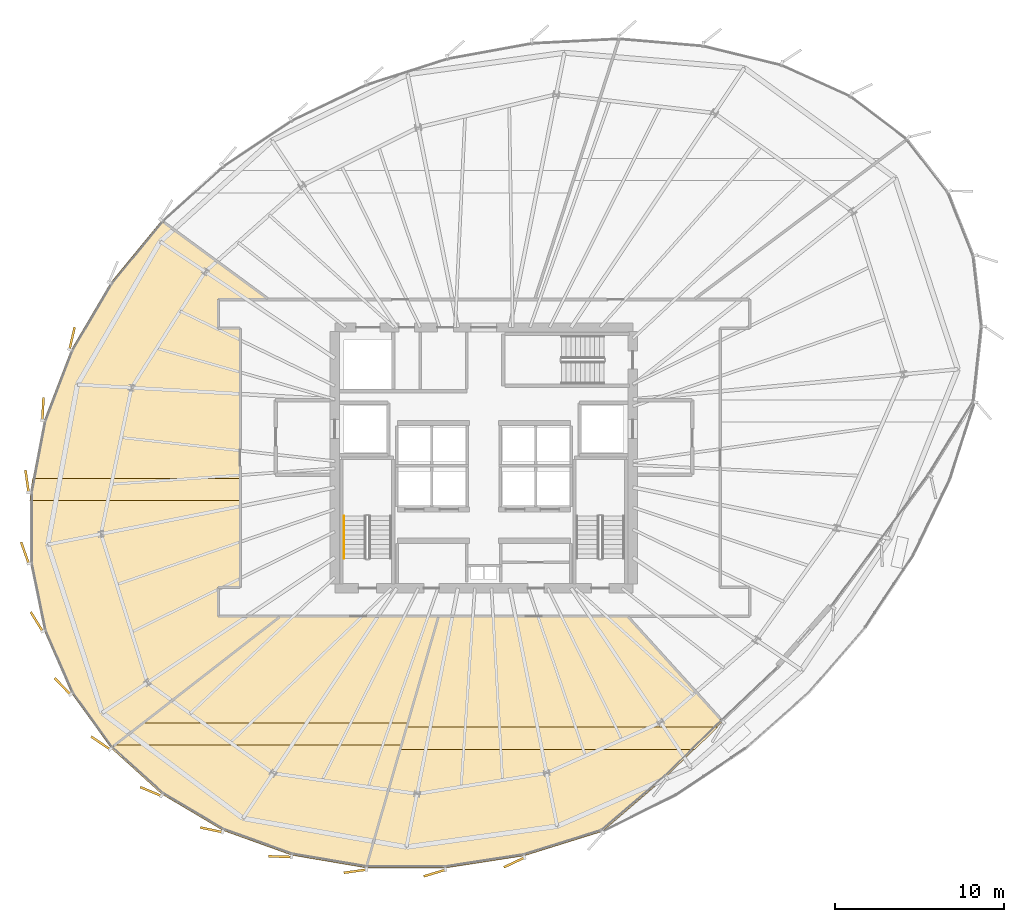
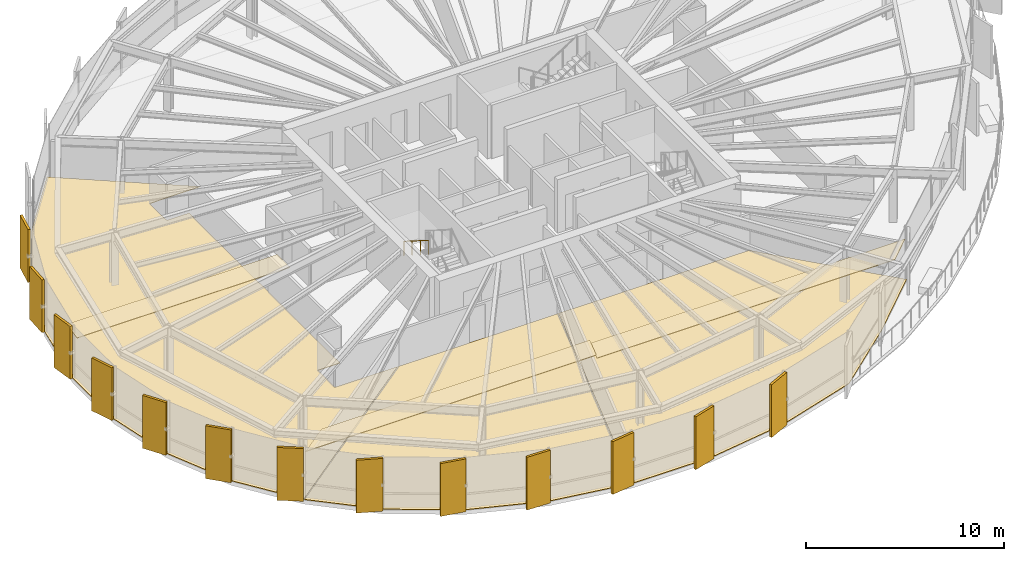
# One storey, part 31 of 34: 19 coverings, 1 railing.
"""IFC4 building model written with IfcOpenShell, lengths in metres."""

from ifc_helpers import new_model, si_unit, direction, frame, origin, origin_2d, place, context, subcontext, project, spatial, polyline, rectangle, circle, outline, extrude, source, transform, mapped, material, layer, layer_set, type_object, element, save


model = new_model("IFC4")

# Units and contexts
model_context = context("Model", 3, precision=1e-05, world=origin(), true_north=direction((0.0, 1.0)))
body_context = subcontext(model_context, "Body", "Model", "MODEL_VIEW")
ifc_project = project(units=[si_unit("LENGTHUNIT", "METRE"), si_unit("AREAUNIT", "SQUARE_METRE"), si_unit("VOLUMEUNIT", "CUBIC_METRE"), si_unit("PLANEANGLEUNIT", "RADIAN"), si_unit("MASSUNIT", "GRAM", prefix="KILO"), si_unit("THERMODYNAMICTEMPERATUREUNIT", "KELVIN")], contexts=[model_context])

# Site, building, storey
site_placement = place(None, origin())
site = spatial("IfcSite", under=ifc_project, at=site_placement, CompositionType="ELEMENT")
building_placement = place(site_placement, origin())
building = spatial("IfcBuilding", under=site, at=building_placement, Name="Kethvar Cultural Tower", CompositionType="ELEMENT")
storey_placement = place(building_placement, frame((0.0, 0.0, 153.64990234375)))
storey = spatial("IfcBuildingStorey", under=building, at=storey_placement, Name="L39", CompositionType="ELEMENT", Elevation=153.64990234375)

# Coverings
ifc_material_1 = material(Name="Acoustic Mineral Fibre Ceiling")
ifc_layer_1 = layer(ifc_material_1, 0.0400390625, Name="Acoustic Mineral Fibre Ceiling")
ifc_layer_set_1 = layer_set([ifc_layer_1], Name="Acoustic Mineral Fibre Ceiling (40 mm)")
covering_type_1 = type_object("IfcCoveringType", Name="CV-ACOUSTIC-CEIL", PredefinedType="CEILING", material=ifc_layer_set_1)
covering_1_placement = place(storey_placement, frame((0.0, 0.0, 2.780029296875)))
element("IfcCovering", 1, at=covering_1_placement, inside=storey, type_object=covering_type_1, Name="L39 Room 01 Acoustic Ceiling Panel", PredefinedType="CEILING", context=body_context, shape_type="SweptSolid", body=[
    extrude(outline(polyline([(26.6708984375, 12.141357421875), (42.34033203125, 12.141357421875), (41.965576171875, 10.831298828125), (24.98974609375, 10.831298828125), (26.6708984375, 12.141357421875)])), origin(), (0.0, 0.0, 1.0), 0.0400390625),
])
covering_2_placement = place(storey_placement, frame((0.0, 0.0, 2.780029296875)))
element("IfcCovering", 2, at=covering_2_placement, inside=storey, type_object=covering_type_1, Name="L39 Room 02 Acoustic Ceiling Panel", PredefinedType="CEILING", context=body_context, shape_type="SweptSolid", body=[
    extrude(outline(polyline([(59.263916015625, 10.581787109375), (41.8525390625, 10.581787109375), (42.227294921875, 11.891845703125), (60.604736328125, 11.891845703125), (59.263916015625, 10.581787109375)])), origin(), (0.0, 0.0, 1.0), 0.0400390625),
])
covering_3_placement = place(storey_placement, frame((0.0, 0.0, 2.780029296875)))
element("IfcCovering", 3, at=covering_3_placement, inside=storey, type_object=covering_type_1, Name="L39 Room 06 Acoustic Ceiling Panel", PredefinedType="CEILING", context=body_context, shape_type="SweptSolid", body=[
    extrude(outline(polyline([(19.973876953125, 25.278076171875), (20.132568359375, 26.588134765625), (32.419921875, 26.588134765625), (32.419921875, 25.278076171875), (19.973876953125, 25.278076171875)])), origin(), (0.0, 0.0, 1.0), 0.0400390625),
])
ifc_material_2 = material(Name="Honed Warm Limestone", Category="masonry")
ifc_layer_2 = layer(ifc_material_2, 0.030029296875, Name="Honed Warm Limestone", Category="masonry")
ifc_layer_set_2 = layer_set([ifc_layer_2], Name="Honed Warm Limestone (30 mm)")
covering_type_2 = type_object("IfcCoveringType", Name="CV-STONE-FLOOR", PredefinedType="FLOORING", material=ifc_layer_set_2)
covering_4_placement = place(storey_placement, origin())
element("IfcCovering", 4, at=covering_4_placement, inside=storey, type_object=covering_type_2, Name="L39 Room 01 Floor Finish", PredefinedType="FLOORING", context=body_context, shape_type="SweptSolid", body=[
    extrude(outline(polyline([(35.45947265625, 4.32568359375), (31.398681640625, 5.78759765625), (27.805908203125, 7.918212890625), (24.806640625, 10.6376953125), (34.80712890625, 18.429931640625), (44.09814453125, 18.429931640625), (39.84912109375, 3.579833984375), (35.45947265625, 4.32568359375)])), origin(), (0.0, 0.0, 1.0), 0.030029296875),
])
covering_5_placement = place(storey_placement, origin())
element("IfcCovering", 5, at=covering_5_placement, inside=storey, type_object=covering_type_2, Name="L39 Room 02 Floor Finish", PredefinedType="FLOORING", context=body_context, shape_type="SweptSolid", body=[
    extrude(outline(polyline([(60.88671875, 12.223388671875), (57.543212890625, 8.95654296875), (53.781494140625, 5.726318359375), (49.168701171875, 4.28857421875), (44.481689453125, 3.564697265625), (39.889892578125, 3.5771484375), (44.139892578125, 18.429931640625), (55.262939453125, 18.429931640625), (60.88671875, 12.223388671875)])), origin(), (0.0, 0.0, 1.0), 0.030029296875),
])
covering_6_placement = place(storey_placement, origin())
element("IfcCovering", 6, at=covering_6_placement, inside=storey, type_object=covering_type_2, Name="L39 Room 06 Floor Finish", PredefinedType="FLOORING", context=body_context, shape_type="SweptSolid", body=[
    extrude(outline(polyline([(22.443603515625, 13.907470703125), (20.836669921875, 17.58447265625), (20.01806640625, 21.57177734375), (20.01318359375, 25.74853515625), (20.822021484375, 29.988037109375), (22.42041015625, 34.161376953125), (24.759521484375, 38.141357421875), (27.75732421875, 41.793701171875), (34.0380859375, 37.169921875), (31.080322265625, 37.15380859375), (31.08447265625, 35.437255859375), (32.3798828125, 35.429931640625), (32.3798828125, 20.169921875), (31.08447265625, 20.16259765625), (31.080078125, 18.449951171875), (34.741943359375, 18.429931640625), (24.779541015625, 10.66748046875), (22.443603515625, 13.907470703125)])), origin(), (0.0, 0.0, 1.0), 0.030029296875),
])

# Railing
ifc_material_3 = material(Name="Steel S355J2", Category="steel")
railing_type = type_object("IfcRailingType", Name="RL-STAIR-HANDRAIL", PredefinedType="HANDRAIL", material=ifc_material_3)
railing_placement = place(storey_placement, frame((38.5400390625, 24.3701171875, 1.95263671875)))
element("IfcRailing", 7, at=railing_placement, inside=storey, type_object=railing_type, Name="L39 ST-01 stair handrail 2", PredefinedType="HANDRAIL", context=body_context, shape_type="SweptSolid", body=[
    extrude(circle(Radius=0.02392578125, at=origin_2d()), frame((0.0, 0.0, 0.8759765625), z_axis=(0.0, -0.84460694969, 0.535386869969), x_axis=(1.0, 0.0, 0.0)), (0.0, 0.0, 1.0), 2.983642578125),
    extrude(circle(Radius=0.02099609375, at=origin_2d()), origin(), (0.0, 0.0, 1.0), 0.851806640625),
    extrude(circle(Radius=0.02099609375, at=origin_2d()), frame((0.0, -0.840087890625, 0.532470703125)), (0.0, 0.0, 1.0), 0.851806640625),
    extrude(circle(Radius=0.02099609375, at=origin_2d()), frame((0.0, -1.679931640625, 1.06494140625)), (0.0, 0.0, 1.0), 0.851806640625),
    extrude(circle(Radius=0.02099609375, at=origin_2d()), frame((0.0, -2.52001953125, 1.597412109375)), (0.0, 0.0, 1.0), 0.851806640625),
])

# Coverings
ifc_material_4 = material(Name="Extruded Architectural Terracotta", Category="masonry")
ifc_layer_3 = layer(ifc_material_4, 0.135009765625, Name="Extruded Architectural Terracotta", Category="masonry")
ifc_layer_set_3 = layer_set([ifc_layer_3], Name="Extruded Architectural Terracotta (135 mm)")
covering_type_3 = type_object("IfcCoveringType", Name="Terracotta Facade Fin FIN-02", PredefinedType="CLADDING", material=ifc_layer_set_3)
shared_shape = source(origin(), body_context, "Body", "SweptSolid", [
    extrude(rectangle(XDim=1.35009765625, YDim=0.135009765625, at=origin_2d()), origin(), (0.0, 0.0, 1.0), 3.260009765625),
])
for number, where, z_axis, x_axis, name in (
    (8, (22.47900390625, 34.8564453125, 0.02001953125), (0.0, 0.0, 1.0), (0.224270760949, 0.974526872787, 0.0), "L39 Vertical Terracotta Fin 3.2"),
    (9, (20.757080078125, 30.682861328125, 0.02001953125), (0.0, 0.0, 1.0), (0.048849769796, 0.998806137341, 0.0), "L39 Vertical Terracotta Fin 3.3"),
    (10, (19.818359375, 26.418701171875, 0.02001953125), (0.0, 0.0, 1.0), (-0.140382837472, 0.990097297715, 0.0), "L39 Vertical Terracotta Fin 3.4"),
    (11, (19.693359375, 22.189697265625, 0.02001953125), (0.0, 0.0, 1.0), (-0.33545156975, 0.942057452787, 0.0), "L39 Vertical Terracotta Fin 3.5"),
    (12, (20.390380859375, 18.12109375, 0.02001953125), (0.0, 0.0, 1.0), (-0.524134552382, 0.851635468378, 0.0), "L39 Vertical Terracotta Fin 3.6"),
    (13, (21.9169921875, 14.306396484375, 0.02001953125), (0.0, 0.0, 1.0), (-0.692017192405, 0.721881018878, 0.0), "L39 Vertical Terracotta Fin 4.1"),
    (14, (24.16357421875, 10.959228515625, 0.02001953125), (0.0, 0.0, 1.0), (-0.827080574275, 0.562083377852, 0.0), "L39 Vertical Terracotta Fin 4.2"),
    (15, (27.13037109375, 8.09326171875, 0.02001953125), (0.0, 0.0, 1.0), (-0.922740022919, 0.385422949633, 0.0), "L39 Vertical Terracotta Fin 4.3"),
    (16, (30.702392578125, 5.832275390625, 0.02001953125), (0.0, 0.0, 1.0), (-0.978867388762, 0.204496051842, 0.0), "L39 Vertical Terracotta Fin 4.4"),
    (17, (34.76611328125, 4.246826171875, 0.02001953125), (0.0, 0.0, 1.0), (-0.999590378462, 0.028619491372, 0.0), "L39 Vertical Terracotta Fin 4.5"),
    (18, (39.194580078125, 3.385009765625, 0.02001953125), (0.0, 0.0, 1.0), (-0.990652851697, -0.13640721178, 0.0), "L39 Vertical Terracotta Fin 4.6"),
    (19, (43.8876953125, 3.276611328125, 0.02001953125), (0.0, 0.0, 1.0), (-0.957420330337, -0.288697611798, 0.0), "L39 Vertical Terracotta Fin 5.1"),
    (20, (48.5869140625, 3.904052734375, 0.02001953125), (0.0, 0.0, 1.0), (-0.904007947873, -0.427515649049, 0.0), "L39 Vertical Terracotta Fin 5.2"),
):
    element("IfcCovering", number, at=place(storey_placement, frame(where, z_axis=z_axis, x_axis=x_axis)), inside=storey, type_object=covering_type_3, Name=name, PredefinedType="CLADDING", context=body_context, shape_type="MappedRepresentation", body=[
        mapped(shared_shape, transform((0.0, 0.0, 0.0), scale=1.0)),
    ])

save(model, "model.ifc")
